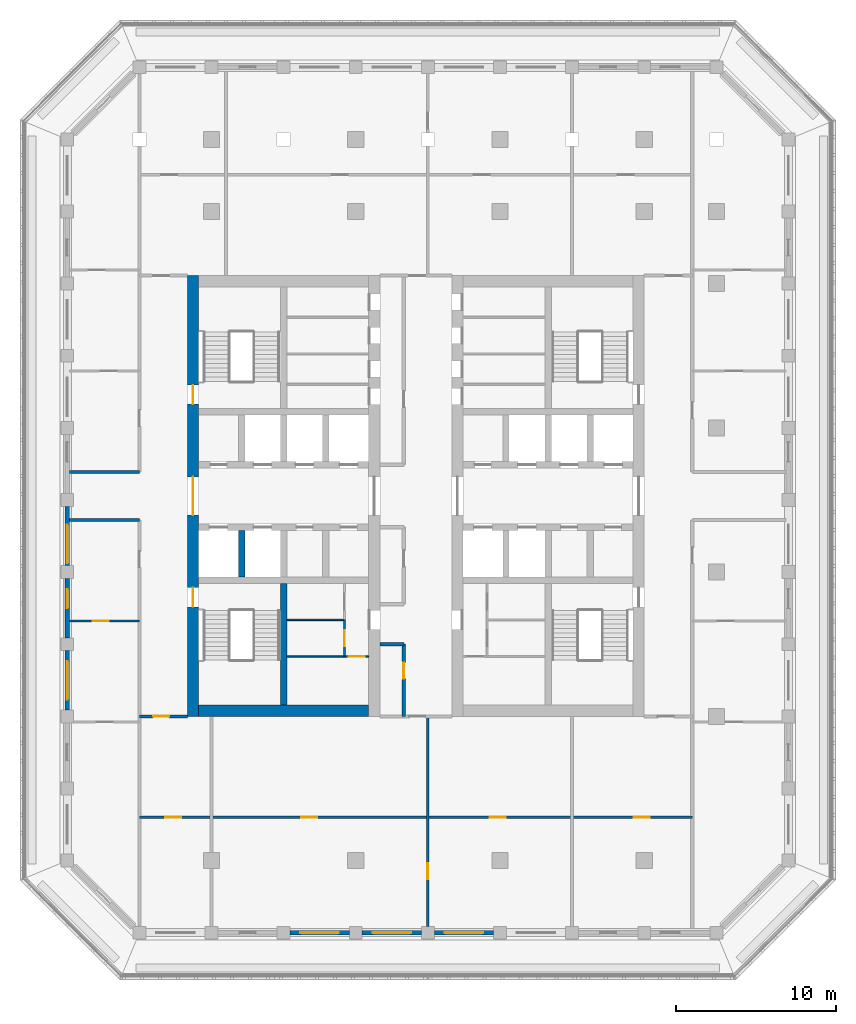
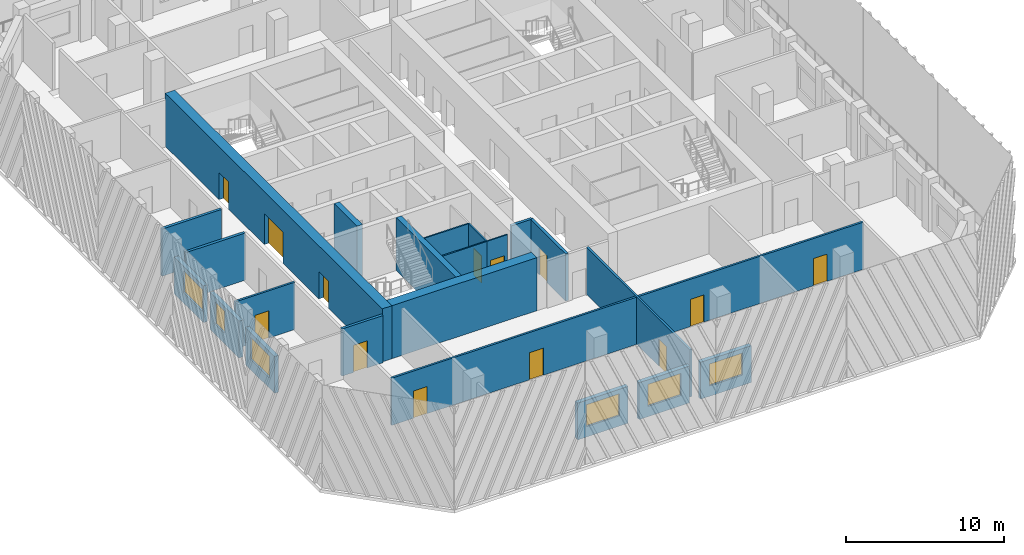
# One storey, part 3 of 17: 22 walls, 13 doors, 6 windows, 19 openings.
"""IFC4 building model written with IfcOpenShell, lengths in metres."""

import ifcopenshell
import ifcopenshell.guid

model = None  # the IFC model being written
_history = None  # IfcOwnerHistory: only IFC2X3 demands one
_inside = {}  # id of a spatial element -> (the spatial element, [elements in it])
_under = {}  # id of a project, library or spatial element -> (it, [spatial elements below it])
_declared = {}  # id of a project -> (the project, [libraries it declares])
_typed = {}  # id of a type object -> (the type object, [elements of that type])
_made_of = {}  # id of a material, layer set ... -> (it, [elements and type objects made of it])


def new_model(schema):
    """Start an empty IFC model of exactly this schema.

    Asked for "IFC4X3", IfcOpenShell would pick the latest addendum, in which some entities
    have other attributes; the version numbers below select the first issue.
    IFC2X3 requires an IfcOwnerHistory on every rooted entity: one is made here for all.
    """
    global model, _history
    if schema == "IFC4X3":
        model = ifcopenshell.file(schema_version=(4, 3, 0, 0))
    else:
        model = ifcopenshell.file(schema=schema)
    _inside.clear()
    _under.clear()
    _declared.clear()
    _typed.clear()
    _made_of.clear()
    _history = None
    if model.schema == "IFC2X3":
        org = make("IfcOrganization", Name="unknown")
        user = make(
            "IfcPersonAndOrganization",
            ThePerson=make("IfcPerson", FamilyName="unknown"),
            TheOrganization=org,
        )
        app = make(
            "IfcApplication",
            ApplicationDeveloper=org,
            Version="unknown",
            ApplicationFullName="unknown",
            ApplicationIdentifier="unknown",
        )
        _history = make(
            "IfcOwnerHistory",
            OwningUser=user,
            OwningApplication=app,
            ChangeAction="ADDED",
            CreationDate=0,
        )
    return model


def make(cls, **values):
    """One entity of the class cls with the attributes given. An attribute that is None is left unset."""
    return model.create_entity(
        cls, **{name: value for name, value in values.items() if value is not None}
    )


def rooted(cls, **values):
    """An entity with a GlobalId (a new one), such as an element, a storey or a relation."""
    return make(cls, GlobalId=ifcopenshell.guid.new(), OwnerHistory=_history, **values)


def si_unit(unit_type, name, prefix=None):
    """IfcSIUnit, for example si_unit("LENGTHUNIT", "METRE", prefix="MILLI")."""
    return make("IfcSIUnit", UnitType=unit_type, Prefix=prefix, Name=name)


def assignment(units):
    """IfcUnitAssignment: the units of a project."""
    return None if units is None else make("IfcUnitAssignment", Units=units)


def point(xyz):
    """IfcCartesianPoint."""
    return None if xyz is None else make("IfcCartesianPoint", Coordinates=xyz)


def direction(xyz):
    """IfcDirection."""
    return None if xyz is None else make("IfcDirection", DirectionRatios=xyz)


def frame(location, z_axis=None, x_axis=None):
    """IfcAxis2Placement3D, a coordinate frame: its origin and axes. An axis left out is left unset."""
    return make(
        "IfcAxis2Placement3D",
        Location=point(location),
        Axis=direction(z_axis),
        RefDirection=direction(x_axis),
    )


def frame_2d(location, x_axis=None):
    """IfcAxis2Placement2D, a coordinate frame in the plane: its origin and x axis."""
    return make(
        "IfcAxis2Placement2D", Location=point(location), RefDirection=direction(x_axis)
    )


def origin():
    """The frame at (0, 0, 0) with its axes left unset."""
    return frame((0.0, 0.0, 0.0))


def place(relative_to, where):
    """IfcLocalPlacement: puts the frame where relative to a parent placement (None: the world)."""
    return make(
        "IfcLocalPlacement", PlacementRelTo=relative_to, RelativePlacement=where
    )


def context(
    kind, dimensions, precision=None, world=None, true_north=None, identifier=None
):
    """IfcGeometricRepresentationContext, for example the 3D "Model" context."""
    return make(
        "IfcGeometricRepresentationContext",
        ContextIdentifier=identifier,
        ContextType=kind,
        CoordinateSpaceDimension=dimensions,
        Precision=precision,
        WorldCoordinateSystem=world,
        TrueNorth=true_north,
    )


def subcontext(parent, identifier, kind, view, scale=None):
    """IfcGeometricRepresentationSubContext, for example "Body" below "Model"."""
    return make(
        "IfcGeometricRepresentationSubContext",
        ContextIdentifier=identifier,
        ContextType=kind,
        ParentContext=parent,
        TargetScale=scale,
        TargetView=view,
    )


def project(units=None, contexts=None):
    """IfcProject with its units and contexts."""
    return rooted(
        "IfcProject",
        Name="project",
        RepresentationContexts=contexts,
        UnitsInContext=assignment(units),
    )


def spatial(cls, under=None, at=None, **own):
    """A site, building, storey or space (cls), placed at a placement, below another one or the project."""
    s = rooted(cls, ObjectPlacement=at, **own)
    if under is not None:
        _under.setdefault(under.id(), (under, []))[1].append(s)
    return s


def profile(cls, at=None, kind="AREA", **sizes):
    """A parametric profile (cls). Its sizes go by their IFC names, for example OverallWidth=200.0."""
    return make(cls, ProfileType=kind, Position=at, **sizes)


def rectangle(**sizes):
    """IfcRectangleProfileDef."""
    return profile("IfcRectangleProfileDef", **sizes)


def extrude(swept, where, along, depth):
    """IfcExtrudedAreaSolid: the profile swept, set in the frame where, extruded along a direction by depth."""
    return make(
        "IfcExtrudedAreaSolid",
        SweptArea=swept,
        Position=where,
        ExtrudedDirection=direction(along),
        Depth=depth,
    )


def shape(context_of_items, identifier, shape_type, items):
    """IfcShapeRepresentation: the items that make up one representation, for example the "Body"."""
    return make(
        "IfcShapeRepresentation",
        ContextOfItems=context_of_items,
        RepresentationIdentifier=identifier,
        RepresentationType=shape_type,
        Items=items,
    )


def material(Name=None, Category=None):
    """IfcMaterial."""
    return make("IfcMaterial", Name=Name, Category=Category)


def layer(
    of_material, thickness, ventilated=None, Name=None, Category=None, Priority=None
):
    """IfcMaterialLayer: one layer of a wall or slab, of a material (None: an air gap)."""
    return make(
        "IfcMaterialLayer",
        Material=of_material,
        LayerThickness=thickness,
        IsVentilated=ventilated,
        Name=Name,
        Category=Category,
        Priority=Priority,
    )


def layer_set(layers, Name=None):
    """IfcMaterialLayerSet."""
    return make("IfcMaterialLayerSet", MaterialLayers=layers, LayerSetName=Name)


def made_of(thing, what):
    """Note that an element or type object is made of a material, layer set ...; save() writes the relation."""
    if what is not None:
        _made_of.setdefault(what.id(), (what, []))[1].append(thing)
    return thing


def type_object(cls, material=None, **own):
    """A type object (cls), such as IfcWallType, which elements share."""
    return made_of(rooted(cls, **own), material)


def element(
    cls,
    number,
    at=None,
    inside=None,
    cuts=None,
    type_object=None,
    material=None,
    context=None,
    identifier="Body",
    shape_type=None,
    held_by="IfcProductDefinitionShape",
    body=None,
    shapes=None,
    **own,
):
    """One element of the class cls, such as IfcWall. Its Tag is "e" and its number.

    at: its placement. inside: the storey or other place that contains it. cuts: it is an
    opening in that element (IfcRelVoidsElement). A single representation is given by context,
    identifier, shape_type and body (its items); several are given by shapes. held_by: the class
    of the entity that holds the representations. save() writes the other relations.
    """
    e = rooted(cls, Tag="e%d" % number, ObjectPlacement=at, **own)
    if body is not None:
        shapes = [shape(context, identifier, shape_type, body)]
    if shapes is not None:
        e.Representation = make(held_by, Representations=shapes)
    if inside is not None:
        _inside.setdefault(inside.id(), (inside, []))[1].append(e)
    if cuts is not None:
        rooted(
            "IfcRelVoidsElement", RelatingBuildingElement=cuts, RelatedOpeningElement=e
        )
    if type_object is not None:
        _typed.setdefault(type_object.id(), (type_object, []))[1].append(e)
    return made_of(e, material)


def fill(opening, filler):
    """IfcRelFillsElement: the door or window that sits in an opening."""
    return rooted(
        "IfcRelFillsElement",
        RelatingOpeningElement=opening,
        RelatedBuildingElement=filler,
    )


def aggregate(whole, parts):
    """IfcRelAggregates: a whole, such as a stair, and the parts it consists of."""
    return rooted("IfcRelAggregates", RelatingObject=whole, RelatedObjects=parts)


def save(model, path):
    """Write the relations noted so far, then the file.

    IfcRelAggregates (storeys below a building ...), IfcRelContainedInSpatialStructure (elements
    in a storey), IfcRelDefinesByType, IfcRelAssociatesMaterial and IfcRelDeclares: one each for
    every whole, place, type object, material and project.
    """
    for whole, parts in _under.values():
        aggregate(whole, parts)
    for where, things in _inside.values():
        rooted(
            "IfcRelContainedInSpatialStructure",
            RelatedElements=things,
            RelatingStructure=where,
        )
    for kind, things in _typed.values():
        rooted("IfcRelDefinesByType", RelatedObjects=things, RelatingType=kind)
    for what, things in _made_of.values():
        rooted("IfcRelAssociatesMaterial", RelatedObjects=things, RelatingMaterial=what)
    for by, libraries in _declared.values():
        rooted("IfcRelDeclares", RelatingContext=by, RelatedDefinitions=libraries)
    model.write(path)


model = new_model("IFC4")

# Units and contexts
model_context = context("Model", 3, precision=1e-05, world=origin(), true_north=direction((0.0, 1.0)))
body_context = subcontext(model_context, "Body", "Model", "MODEL_VIEW")
ifc_project = project(units=[si_unit("LENGTHUNIT", "METRE"), si_unit("AREAUNIT", "SQUARE_METRE"), si_unit("VOLUMEUNIT", "CUBIC_METRE"), si_unit("PLANEANGLEUNIT", "RADIAN"), si_unit("MASSUNIT", "GRAM", prefix="KILO")], contexts=[model_context])

# Site, building, storey
site_placement = place(None, origin())
site = spatial("IfcSite", under=ifc_project, at=site_placement, CompositionType="ELEMENT")
building_placement = place(site_placement, origin())
building = spatial("IfcBuilding", under=site, at=building_placement, Name="Corbel Stack Research Tower", CompositionType="ELEMENT")
storey_placement = place(building_placement, frame((0.0, 0.0, 231.60009765625)))
storey = spatial("IfcBuildingStorey", under=building, at=storey_placement, Name="L52", CompositionType="ELEMENT", Elevation=231.60009765625)

# Walls
ifc_material_1 = material(Name="Concrete C60/75", Category="concrete")
ifc_layer_1 = layer(ifc_material_1, 0.39990234375)
ifc_layer_set_1 = layer_set([ifc_layer_1], Name="Concrete C60/75")
wall_type_1 = type_object("IfcWallType", Name="CW-400-60", PredefinedType="SHEAR", material=ifc_layer_set_1)
wall_1_placement = place(storey_placement, frame((-7.125, -0.300048828125, 0.0), z_axis=(0.0, 0.0, 1.0), x_axis=(0.0, 1.0, 0.0)))
element("IfcWall", 1, at=wall_1_placement, inside=storey, type_object=wall_type_1, Name="West core wall, south shaft 1 L52", PredefinedType="SHEAR", context=body_context, shape_type="SweptSolid", body=[
    extrude(rectangle(XDim=2.900146484375, YDim=0.39990234375, at=frame_2d((1.4501953125, 0.0))), origin(), (0.0, 0.0, 1.0), 4.099853515625),
])
wall_2_placement = place(storey_placement, frame((-4.5, -8.300048828125, 0.0), z_axis=(0.0, 0.0, 1.0), x_axis=(0.0, 1.0, 0.0)))
element("IfcWall", 2, at=wall_2_placement, inside=storey, type_object=wall_type_1, Name="West core wall, south stair and WC L52", PredefinedType="SHEAR", context=body_context, shape_type="SweptSolid", body=[
    extrude(rectangle(XDim=7.60009765625, YDim=0.39990234375, at=frame_2d((3.800048828125, 0.0))), origin(), (0.0, 0.0, 1.0), 4.099853515625),
])

# Wall, openings, doors
ifc_material_2 = material(Name="Concrete C60/75", Category="concrete")
ifc_layer_2 = layer(ifc_material_2, 0.699951171875)
ifc_layer_set_2 = layer_set([ifc_layer_2], Name="Concrete C60/75")
wall_type_2 = type_object("IfcWallType", Name="CW-700-60", PredefinedType="SHEAR", material=ifc_layer_set_2)
wall_3_placement = place(storey_placement, frame((-10.14990234375, -9.0, 0.0), z_axis=(0.0, 0.0, 1.0), x_axis=(0.0, 1.0, 0.0)))
wall_3 = element("IfcWall", 3, at=wall_3_placement, inside=storey, type_object=wall_type_2, Name="West core wall, west face L52", PredefinedType="SHEAR", context=body_context, shape_type="SweptSolid", body=[
    extrude(rectangle(XDim=27.5, YDim=0.699951171875, at=frame_2d((13.75, 0.0))), origin(), (0.0, 0.0, 1.0), 4.099853515625),
])
opening_1_placement = place(wall_3_placement, frame((12.550048828125, 0.0, 0.0)))
opening_1 = element("IfcOpeningElement", 4, at=opening_1_placement, cuts=wall_3, Name="Opening CD-W-W", PredefinedType="OPENING", context=body_context, shape_type="SweptSolid", body=[
    extrude(rectangle(XDim=2.39990234375, YDim=2.39990234375, at=frame_2d((1.199951171875, 1.199951171875))), frame((0.0, 0.35986328125, 0.0), z_axis=(0.0, -1.0, 0.0), x_axis=(1.0, 0.0, 0.0)), (0.0, 0.0, 1.0), 0.719970703125),
])
opening_2_placement = place(wall_3_placement, frame((6.824951171875, 0.0, 0.0)))
opening_2 = element("IfcOpeningElement", 5, at=opening_2_placement, cuts=wall_3, Name="Opening SD-ST-W1", PredefinedType="OPENING", context=body_context, shape_type="SweptSolid", body=[
    extrude(rectangle(XDim=1.199951171875, YDim=2.10009765625, at=frame_2d((0.60009765625, 1.050048828125))), frame((0.0, 0.35986328125, 0.0), z_axis=(0.0, -1.0, 0.0), x_axis=(1.0, 0.0, 0.0)), (0.0, 0.0, 1.0), 0.719970703125),
])
opening_3_placement = place(wall_3_placement, frame((19.47509765625, 0.0, 0.0)))
opening_3 = element("IfcOpeningElement", 6, at=opening_3_placement, cuts=wall_3, Name="Opening SD-ST-W2", PredefinedType="OPENING", context=body_context, shape_type="SweptSolid", body=[
    extrude(rectangle(XDim=1.199951171875, YDim=2.10009765625, at=frame_2d((0.60009765625, 1.050048828125))), frame((0.0, 0.35986328125, 0.0), z_axis=(0.0, -1.0, 0.0), x_axis=(1.0, 0.0, 0.0)), (0.0, 0.0, 1.0), 0.719970703125),
])
ifc_material_3 = material(Name="Painted steel fire door", Category="steel")
door_type_1 = type_object("IfcDoorType", Name="Lobby door pair 2400 x 2400 FD30S", OperationType="DOUBLE_DOOR_DOUBLE_SWING", PredefinedType="DOOR", material=ifc_material_3)
door_1_placement = place(opening_1_placement, origin())
door_1 = element("IfcDoor", 7, at=door_1_placement, inside=storey, type_object=door_type_1, Name="Lift lobby door W core W", OperationType="DOUBLE_DOOR_DOUBLE_SWING", OverallHeight=2.39990234375, OverallWidth=2.39990234375, PredefinedType="DOOR", context=body_context, shape_type="SweptSolid", body=[
    extrude(rectangle(XDim=2.39990234375, YDim=2.39990234375, at=frame_2d((1.199951171875, 1.199951171875))), frame((0.0, 0.02490234375, 0.0), z_axis=(0.0, -1.0, 0.0), x_axis=(1.0, 0.0, 0.0)), (0.0, 0.0, 1.0), 0.050048828125),
])
fill(opening_1, door_1)
ifc_material_4 = material(Name="Painted steel fire door", Category="steel")
door_type_2 = type_object("IfcDoorType", Name="Stair door 1200 x 2100 FD90 left hand", OperationType="SINGLE_SWING_LEFT", PredefinedType="DOOR", material=ifc_material_4)
door_2_placement = place(opening_2_placement, origin())
door_2 = element("IfcDoor", 8, at=door_2_placement, inside=storey, type_object=door_type_2, Name="Stair door ST-W1", OperationType="SINGLE_SWING_LEFT", OverallHeight=2.10009765625, OverallWidth=1.199951171875, PredefinedType="DOOR", context=body_context, shape_type="SweptSolid", body=[
    extrude(rectangle(XDim=1.199951171875, YDim=2.10009765625, at=frame_2d((0.60009765625, 1.050048828125))), frame((0.0, 0.02490234375, 0.0), z_axis=(0.0, -1.0, 0.0), x_axis=(1.0, 0.0, 0.0)), (0.0, 0.0, 1.0), 0.050048828125),
])
fill(opening_2, door_2)
door_3_placement = place(opening_3_placement, origin())
door_3 = element("IfcDoor", 9, at=door_3_placement, inside=storey, type_object=door_type_2, Name="Stair door ST-W2", OperationType="SINGLE_SWING_LEFT", OverallHeight=2.10009765625, OverallWidth=1.199951171875, PredefinedType="DOOR", context=body_context, shape_type="SweptSolid", body=[
    extrude(rectangle(XDim=1.199951171875, YDim=2.10009765625, at=frame_2d((0.60009765625, 1.050048828125))), frame((0.0, 0.02490234375, 0.0), z_axis=(0.0, -1.0, 0.0), x_axis=(1.0, 0.0, 0.0)), (0.0, 0.0, 1.0), 0.050048828125),
])
fill(opening_3, door_3)

# Wall
wall_4_placement = place(storey_placement, frame((-9.800048828125, -8.64990234375, 0.0), z_axis=(0.0, 0.0, 1.0), x_axis=(1.0, 0.0, 0.0)))
element("IfcWall", 10, at=wall_4_placement, inside=storey, type_object=wall_type_2, Name="West core wall, south end L52", PredefinedType="SHEAR", context=body_context, shape_type="SweptSolid", body=[
    extrude(rectangle(XDim=10.60009765625, YDim=0.699951171875, at=frame_2d((5.300048828125, 0.0))), origin(), (0.0, 0.0, 1.0), 4.099853515625),
])

# Wall, opening, door
ifc_material_5 = material(Name="Gypsum board")
ifc_layer_3 = layer(ifc_material_5, 0.10009765625)
ifc_layer_set_3 = layer_set([ifc_layer_3], Name="Gypsum board")
wall_type_3 = type_object("IfcWallType", Name="Core partition 100", PredefinedType="PARTITIONING", material=ifc_layer_set_3)
wall_5_placement = place(storey_placement, frame((-0.699951171875, -5.260009765625, 0.0), z_axis=(0.0, 0.0, 1.0), x_axis=(1.0, 0.0, 0.0)))
wall_5 = element("IfcWall", 11, at=wall_5_placement, inside=storey, type_object=wall_type_3, Name="Core partition W", PredefinedType="PARTITIONING", context=body_context, shape_type="SweptSolid", body=[
    extrude(rectangle(XDim=1.5, YDim=0.10009765625, at=frame_2d((0.75, 0.0))), origin(), (0.0, 0.0, 1.0), 3.64990234375),
])
opening_4_placement = place(wall_5_placement, frame((0.25, 0.0, 0.0)))
opening_4 = element("IfcOpeningElement", 12, at=opening_4_placement, cuts=wall_5, Name="Opening CR-W66-W2-1000", PredefinedType="OPENING", context=body_context, shape_type="SweptSolid", body=[
    extrude(rectangle(XDim=1.0, YDim=2.10009765625, at=frame_2d((0.5, 1.050048828125))), frame((0.0, 0.06005859375, 0.0), z_axis=(0.0, -1.0, 0.0), x_axis=(1.0, 0.0, 0.0)), (0.0, 0.0, 1.0), 0.1201171875),
])
ifc_material_6 = material(Name="Painted timber door", Category="wood")
door_type_3 = type_object("IfcDoorType", Name="WC door 1000 x 2100 right hand", OperationType="SINGLE_SWING_RIGHT", PredefinedType="DOOR", material=ifc_material_6)
door_4_placement = place(opening_4_placement, origin())
door_4 = element("IfcDoor", 13, at=door_4_placement, inside=storey, type_object=door_type_3, Name="Accessible WC door W core", OperationType="SINGLE_SWING_RIGHT", OverallHeight=2.10009765625, OverallWidth=1.0, PredefinedType="DOOR", context=body_context, shape_type="SweptSolid", body=[
    extrude(rectangle(XDim=1.0, YDim=2.10009765625, at=frame_2d((0.5, 1.050048828125))), frame((0.0, 0.02490234375, 0.0), z_axis=(0.0, -1.0, 0.0), x_axis=(1.0, 0.0, 0.0)), (0.0, 0.0, 1.0), 0.050048828125),
])
fill(opening_4, door_4)

wall_6_placement = place(storey_placement, frame((-0.699951171875, -5.260009765625, 0.0), z_axis=(0.0, 0.0, 1.0), x_axis=(0.0, 1.0, 0.0)))
wall_6 = element("IfcWall", 14, at=wall_6_placement, inside=storey, type_object=wall_type_3, Name="Core partition W", PredefinedType="PARTITIONING", context=body_context, shape_type="SweptSolid", body=[
    extrude(rectangle(XDim=2.280029296875, YDim=0.10009765625, at=frame_2d((1.14013671875, 0.0))), origin(), (0.0, 0.0, 1.0), 3.64990234375),
])
opening_5_placement = place(wall_6_placement, frame((0.639892578125, 0.0, 0.0)))
opening_5 = element("IfcOpeningElement", 15, at=opening_5_placement, cuts=wall_6, Name="Opening CR-W66-W3-1000", PredefinedType="OPENING", context=body_context, shape_type="SweptSolid", body=[
    extrude(rectangle(XDim=1.0, YDim=2.10009765625, at=frame_2d((0.5, 1.050048828125))), frame((0.0, 0.06005859375, 0.0), z_axis=(0.0, -1.0, 0.0), x_axis=(1.0, 0.0, 0.0)), (0.0, 0.0, 1.0), 0.1201171875),
])
ifc_material_7 = material(Name="Painted timber door", Category="wood")
door_type_4 = type_object("IfcDoorType", Name="WC door 1000 x 2100 left hand", OperationType="SINGLE_SWING_LEFT", PredefinedType="DOOR", material=ifc_material_7)
door_5_placement = place(opening_5_placement, origin())
door_5 = element("IfcDoor", 16, at=door_5_placement, inside=storey, type_object=door_type_4, Name="Men's WC door W core", OperationType="SINGLE_SWING_LEFT", OverallHeight=2.10009765625, OverallWidth=1.0, PredefinedType="DOOR", context=body_context, shape_type="SweptSolid", body=[
    extrude(rectangle(XDim=1.0, YDim=2.10009765625, at=frame_2d((0.5, 1.050048828125))), frame((0.0, 0.02490234375, 0.0), z_axis=(0.0, -1.0, 0.0), x_axis=(1.0, 0.0, 0.0)), (0.0, 0.0, 1.0), 0.050048828125),
])
fill(opening_5, door_5)

# Walls
for number, where, z_axis, x_axis, name in (
    (17, (-4.300048828125, -5.260009765625, 0.0), (0.0, 0.0, 1.0), (1.0, 0.0, 0.0), "Core partition W"),
    (18, (-4.300048828125, -2.97998046875, 0.0), (0.0, 0.0, 1.0), (1.0, 0.0, 0.0), "Core partition W"),
):
    element("IfcWall", number, at=place(storey_placement, frame(where, z_axis=z_axis, x_axis=x_axis)), inside=storey, type_object=wall_type_3, Name=name, PredefinedType="PARTITIONING", context=body_context, shape_type="SweptSolid", body=[
        extrude(rectangle(XDim=3.60009765625, YDim=0.10009765625, at=frame_2d((1.800048828125, 0.0))), origin(), (0.0, 0.0, 1.0), 3.64990234375),
    ])

# Wall, opening, door
ifc_material_8 = material(Name="Fire-rated gypsum board partition on steel studs", Category="steel")
ifc_layer_4 = layer(ifc_material_8, 0.14990234375)
ifc_layer_set_4 = layer_set([ifc_layer_4], Name="Fire-rated gypsum board partition on steel studs")
wall_type_4 = type_object("IfcWallType", Name="Fire-rated partition 150 EI 60", PredefinedType="PARTITIONING", material=ifc_layer_set_4)
wall_7_placement = place(storey_placement, frame((4.5, -9.0, 0.0), z_axis=(0.0, 0.0, 1.0), x_axis=(0.0, -1.0, 0.0)))
wall_7 = element("IfcWall", 19, at=wall_7_placement, inside=storey, type_object=wall_type_4, Name="Partition L52-010", PredefinedType="PARTITIONING", context=body_context, shape_type="SweptSolid", body=[
    extrude(rectangle(XDim=13.10009765625, YDim=0.14990234375, at=frame_2d((6.550048828125, 0.0))), origin(), (0.0, 0.0, 1.0), 3.64990234375),
])
opening_6_placement = place(wall_7_placement, frame((9.14990234375, 0.0, 0.0)))
opening_6 = element("IfcOpeningElement", 20, at=opening_6_placement, cuts=wall_7, Name="Opening B7V0H-017", PredefinedType="OPENING", context=body_context, shape_type="SweptSolid", body=[
    extrude(rectangle(XDim=1.0, YDim=2.10009765625, at=frame_2d((0.5, 1.050048828125))), frame((0.0, 0.0849609375, 0.0), z_axis=(0.0, -1.0, 0.0), x_axis=(1.0, 0.0, 0.0)), (0.0, 0.0, 1.0), 0.169921875),
])
ifc_material_9 = material(Name="Painted steel fire door", Category="steel")
door_type_5 = type_object("IfcDoorType", Name="Fire door FD30S 1000 x 2100", OperationType="NOTDEFINED", PredefinedType="DOOR", material=ifc_material_9)
door_6_placement = place(opening_6_placement, origin())
door_6 = element("IfcDoor", 21, at=door_6_placement, inside=storey, type_object=door_type_5, Name="Door B7V0H-017", OperationType="SINGLE_SWING_RIGHT", OverallHeight=2.10009765625, OverallWidth=1.0, PredefinedType="DOOR", context=body_context, shape_type="SweptSolid", body=[
    extrude(rectangle(XDim=1.0, YDim=2.10009765625, at=frame_2d((0.5, 1.050048828125))), frame((0.0, 0.02490234375, 0.0), z_axis=(0.0, -1.0, 0.0), x_axis=(1.0, 0.0, 0.0)), (0.0, 0.0, 1.0), 0.050048828125),
])
fill(opening_6, door_6)

ifc_material_10 = material(Name="Fire-rated gypsum board partition on steel studs", Category="steel")
ifc_layer_5 = layer(ifc_material_10, 0.199951171875)
ifc_layer_set_5 = layer_set([ifc_layer_5], Name="Fire-rated gypsum board partition on steel studs")
wall_type_5 = type_object("IfcWallType", Name="Fire-rated partition 200 EI 60", PredefinedType="PARTITIONING", material=ifc_layer_set_5)
wall_8_placement = place(storey_placement, frame((3.0, -9.0, 0.0), z_axis=(0.0, 0.0, 1.0), x_axis=(0.0, 1.0, 0.0)))
wall_8 = element("IfcWall", 22, at=wall_8_placement, inside=storey, type_object=wall_type_5, Name="Partition L52-007", PredefinedType="PARTITIONING", context=body_context, shape_type="SweptSolid", body=[
    extrude(rectangle(XDim=4.5, YDim=0.199951171875, at=frame_2d((2.25, 0.0))), origin(), (0.0, 0.0, 1.0), 3.64990234375),
])
opening_7_placement = place(wall_8_placement, frame((2.35009765625, 0.0, 0.0)))
opening_7 = element("IfcOpeningElement", 23, at=opening_7_placement, cuts=wall_8, Name="Opening B7V0H-014", PredefinedType="OPENING", context=body_context, shape_type="SweptSolid", body=[
    extrude(rectangle(XDim=1.0, YDim=2.10009765625, at=frame_2d((0.5, 1.050048828125))), frame((0.0, 0.10986328125, 0.0), z_axis=(0.0, -1.0, 0.0), x_axis=(1.0, 0.0, 0.0)), (0.0, 0.0, 1.0), 0.219970703125),
])
door_7_placement = place(opening_7_placement, origin())
door_7 = element("IfcDoor", 24, at=door_7_placement, inside=storey, type_object=door_type_5, Name="Door B7V0H-014", OperationType="SINGLE_SWING_RIGHT", OverallHeight=2.10009765625, OverallWidth=1.0, PredefinedType="DOOR", context=body_context, shape_type="SweptSolid", body=[
    extrude(rectangle(XDim=1.0, YDim=2.10009765625, at=frame_2d((0.5, 1.050048828125))), frame((0.0, 0.02490234375, 0.0), z_axis=(0.0, -1.0, 0.0), x_axis=(1.0, 0.0, 0.0)), (0.0, 0.0, 1.0), 0.050048828125),
])
fill(opening_7, door_7)

wall_9_placement = place(storey_placement, frame((-10.5, -9.0, 0.0), z_axis=(0.0, 0.0, 1.0), x_axis=(-1.0, 0.0, 0.0)))
wall_9 = element("IfcWall", 25, at=wall_9_placement, inside=storey, type_object=wall_type_5, Name="Partition L52-022", PredefinedType="PARTITIONING", context=body_context, shape_type="SweptSolid", body=[
    extrude(rectangle(XDim=3.0, YDim=0.199951171875, at=frame_2d((1.5, 0.0))), origin(), (0.0, 0.0, 1.0), 3.64990234375),
])
opening_8_placement = place(wall_9_placement, frame((1.14990234375, 0.0, 0.0)))
opening_8 = element("IfcOpeningElement", 26, at=opening_8_placement, cuts=wall_9, Name="Opening B7V0H-009", PredefinedType="OPENING", context=body_context, shape_type="SweptSolid", body=[
    extrude(rectangle(XDim=1.0, YDim=2.10009765625, at=frame_2d((0.5, 1.050048828125))), frame((0.0, 0.10986328125, 0.0), z_axis=(0.0, -1.0, 0.0), x_axis=(1.0, 0.0, 0.0)), (0.0, 0.0, 1.0), 0.219970703125),
])
door_8_placement = place(opening_8_placement, origin())
door_8 = element("IfcDoor", 27, at=door_8_placement, inside=storey, type_object=door_type_5, Name="Door B7V0H-009", OperationType="SINGLE_SWING_RIGHT", OverallHeight=2.10009765625, OverallWidth=1.0, PredefinedType="DOOR", context=body_context, shape_type="SweptSolid", body=[
    extrude(rectangle(XDim=1.0, YDim=2.10009765625, at=frame_2d((0.5, 1.050048828125))), frame((0.0, 0.02490234375, 0.0), z_axis=(0.0, -1.0, 0.0), x_axis=(1.0, 0.0, 0.0)), (0.0, 0.0, 1.0), 0.050048828125),
])
fill(opening_8, door_8)

# Walls
wall_10_placement = place(storey_placement, frame((1.5, -4.5, 0.0), z_axis=(0.0, 0.0, 1.0), x_axis=(1.0, 0.0, 0.0)))
element("IfcWall", 28, at=wall_10_placement, inside=storey, type_object=wall_type_5, Name="Partition L52-025", PredefinedType="PARTITIONING", context=body_context, shape_type="SweptSolid", body=[
    extrude(rectangle(XDim=1.5, YDim=0.199951171875, at=frame_2d((0.75, 0.0))), origin(), (0.0, 0.0, 1.0), 3.64990234375),
])
for number, where, z_axis, x_axis, name in (
    (29, (-17.85009765625, 3.25, 0.0), (0.0, 0.0, 1.0), (1.0, 0.0, 0.0), "Partition L52-030"),
    (30, (-17.85009765625, 6.25, 0.0), (0.0, 0.0, 1.0), (1.0, 0.0, 0.0), "Partition L52-032"),
):
    element("IfcWall", number, at=place(storey_placement, frame(where, z_axis=z_axis, x_axis=x_axis)), inside=storey, type_object=wall_type_5, Name=name, PredefinedType="PARTITIONING", context=body_context, shape_type="SweptSolid", body=[
        extrude(rectangle(XDim=4.35009765625, YDim=0.199951171875, at=frame_2d((2.175048828125, 0.0))), origin(), (0.0, 0.0, 1.0), 3.64990234375),
    ])

# Wall, openings, doors
ifc_material_11 = material(Name="Gypsum board partition on steel studs", Category="steel")
ifc_layer_6 = layer(ifc_material_11, 0.14990234375)
ifc_layer_set_6 = layer_set([ifc_layer_6], Name="Gypsum board partition on steel studs")
wall_type_6 = type_object("IfcWallType", Name="Partition 150", PredefinedType="PARTITIONING", material=ifc_layer_set_6)
wall_11_placement = place(storey_placement, frame((21.0, -15.300048828125, 0.0), z_axis=(0.0, 0.0, 1.0), x_axis=(-1.0, 0.0, 0.0)))
wall_11 = element("IfcWall", 31, at=wall_11_placement, inside=storey, type_object=wall_type_6, Name="Partition L52-018", PredefinedType="PARTITIONING", context=body_context, shape_type="SweptSolid", body=[
    extrude(rectangle(XDim=34.5, YDim=0.14990234375, at=frame_2d((17.25, 0.0))), origin(), (0.0, 0.0, 1.0), 3.64990234375),
])
opening_9_placement = place(wall_11_placement, frame((31.89990234375, 0.0, 0.0)))
opening_9 = element("IfcOpeningElement", 32, at=opening_9_placement, cuts=wall_11, Name="Opening B7V0H-001", PredefinedType="OPENING", context=body_context, shape_type="SweptSolid", body=[
    extrude(rectangle(XDim=1.0, YDim=2.10009765625, at=frame_2d((0.5, 1.050048828125))), frame((0.0, 0.0849609375, 0.0), z_axis=(0.0, -1.0, 0.0), x_axis=(1.0, 0.0, 0.0)), (0.0, 0.0, 1.0), 0.169921875),
])
opening_10_placement = place(wall_11_placement, frame((23.39990234375, 0.0, 0.0)))
opening_10 = element("IfcOpeningElement", 33, at=opening_10_placement, cuts=wall_11, Name="Opening B7V0H-002", PredefinedType="OPENING", context=body_context, shape_type="SweptSolid", body=[
    extrude(rectangle(XDim=1.0, YDim=2.10009765625, at=frame_2d((0.5, 1.050048828125))), frame((0.0, 0.0849609375, 0.0), z_axis=(0.0, -1.0, 0.0), x_axis=(1.0, 0.0, 0.0)), (0.0, 0.0, 1.0), 0.169921875),
])
opening_11_placement = place(wall_11_placement, frame((11.64990234375, 0.0, 0.0)))
opening_11 = element("IfcOpeningElement", 34, at=opening_11_placement, cuts=wall_11, Name="Opening B7V0H-003", PredefinedType="OPENING", context=body_context, shape_type="SweptSolid", body=[
    extrude(rectangle(XDim=1.0, YDim=2.10009765625, at=frame_2d((0.5, 1.050048828125))), frame((0.0, 0.0849609375, 0.0), z_axis=(0.0, -1.0, 0.0), x_axis=(1.0, 0.0, 0.0)), (0.0, 0.0, 1.0), 0.169921875),
])
opening_12_placement = place(wall_11_placement, frame((2.64990234375, 0.0, 0.0)))
opening_12 = element("IfcOpeningElement", 35, at=opening_12_placement, cuts=wall_11, Name="Opening B7V0H-004", PredefinedType="OPENING", context=body_context, shape_type="SweptSolid", body=[
    extrude(rectangle(XDim=1.0, YDim=2.10009765625, at=frame_2d((0.5, 1.050048828125))), frame((0.0, 0.0849609375, 0.0), z_axis=(0.0, -1.0, 0.0), x_axis=(1.0, 0.0, 0.0)), (0.0, 0.0, 1.0), 0.169921875),
])
ifc_material_12 = material(Name="Painted timber door", Category="wood")
door_type_6 = type_object("IfcDoorType", Name="Single door 1000 x 2100", OperationType="NOTDEFINED", PredefinedType="DOOR", material=ifc_material_12)
door_9_placement = place(opening_9_placement, origin())
door_9 = element("IfcDoor", 36, at=door_9_placement, inside=storey, type_object=door_type_6, Name="Door B7V0H-001", OperationType="SINGLE_SWING_RIGHT", OverallHeight=2.10009765625, OverallWidth=1.0, PredefinedType="DOOR", context=body_context, shape_type="SweptSolid", body=[
    extrude(rectangle(XDim=1.0, YDim=2.10009765625, at=frame_2d((0.5, 1.050048828125))), frame((0.0, 0.02490234375, 0.0), z_axis=(0.0, -1.0, 0.0), x_axis=(1.0, 0.0, 0.0)), (0.0, 0.0, 1.0), 0.050048828125),
])
fill(opening_9, door_9)
door_10_placement = place(opening_10_placement, origin())
door_10 = element("IfcDoor", 37, at=door_10_placement, inside=storey, type_object=door_type_6, Name="Door B7V0H-002", OperationType="SINGLE_SWING_RIGHT", OverallHeight=2.10009765625, OverallWidth=1.0, PredefinedType="DOOR", context=body_context, shape_type="SweptSolid", body=[
    extrude(rectangle(XDim=1.0, YDim=2.10009765625, at=frame_2d((0.5, 1.050048828125))), frame((0.0, 0.02490234375, 0.0), z_axis=(0.0, -1.0, 0.0), x_axis=(1.0, 0.0, 0.0)), (0.0, 0.0, 1.0), 0.050048828125),
])
fill(opening_10, door_10)
door_11_placement = place(opening_11_placement, origin())
door_11 = element("IfcDoor", 38, at=door_11_placement, inside=storey, type_object=door_type_6, Name="Door B7V0H-003", OperationType="SINGLE_SWING_LEFT", OverallHeight=2.10009765625, OverallWidth=1.0, PredefinedType="DOOR", context=body_context, shape_type="SweptSolid", body=[
    extrude(rectangle(XDim=1.0, YDim=2.10009765625, at=frame_2d((0.5, 1.050048828125))), frame((0.0, 0.02490234375, 0.0), z_axis=(0.0, -1.0, 0.0), x_axis=(1.0, 0.0, 0.0)), (0.0, 0.0, 1.0), 0.050048828125),
])
fill(opening_11, door_11)
door_12_placement = place(opening_12_placement, origin())
door_12 = element("IfcDoor", 39, at=door_12_placement, inside=storey, type_object=door_type_6, Name="Door B7V0H-004", OperationType="SINGLE_SWING_LEFT", OverallHeight=2.10009765625, OverallWidth=1.0, PredefinedType="DOOR", context=body_context, shape_type="SweptSolid", body=[
    extrude(rectangle(XDim=1.0, YDim=2.10009765625, at=frame_2d((0.5, 1.050048828125))), frame((0.0, 0.02490234375, 0.0), z_axis=(0.0, -1.0, 0.0), x_axis=(1.0, 0.0, 0.0)), (0.0, 0.0, 1.0), 0.050048828125),
])
fill(opening_12, door_12)

# Wall, opening, door
wall_12_placement = place(storey_placement, frame((-13.5, -3.050048828125, 0.0), z_axis=(0.0, 0.0, 1.0), x_axis=(-1.0, 0.0, 0.0)))
wall_12 = element("IfcWall", 40, at=wall_12_placement, inside=storey, type_object=wall_type_6, Name="Partition L52-026", PredefinedType="PARTITIONING", context=body_context, shape_type="SweptSolid", body=[
    extrude(rectangle(XDim=4.35009765625, YDim=0.14990234375, at=frame_2d((2.175048828125, 0.0))), origin(), (0.0, 0.0, 1.0), 3.64990234375),
])
opening_13_placement = place(wall_12_placement, frame((1.89990234375, 0.0, 0.0)))
opening_13 = element("IfcOpeningElement", 41, at=opening_13_placement, cuts=wall_12, Name="Opening B7V0H-012", PredefinedType="OPENING", context=body_context, shape_type="SweptSolid", body=[
    extrude(rectangle(XDim=1.0, YDim=2.10009765625, at=frame_2d((0.5, 1.050048828125))), frame((0.0, 0.0849609375, 0.0), z_axis=(0.0, -1.0, 0.0), x_axis=(1.0, 0.0, 0.0)), (0.0, 0.0, 1.0), 0.169921875),
])
door_13_placement = place(opening_13_placement, origin())
door_13 = element("IfcDoor", 42, at=door_13_placement, inside=storey, type_object=door_type_6, Name="Door B7V0H-012", OperationType="SINGLE_SWING_RIGHT", OverallHeight=2.10009765625, OverallWidth=1.0, PredefinedType="DOOR", context=body_context, shape_type="SweptSolid", body=[
    extrude(rectangle(XDim=1.0, YDim=2.10009765625, at=frame_2d((0.5, 1.050048828125))), frame((0.0, 0.02490234375, 0.0), z_axis=(0.0, -1.0, 0.0), x_axis=(1.0, 0.0, 0.0)), (0.0, 0.0, 1.0), 0.050048828125),
])
fill(opening_13, door_13)

# Wall, opening, window
ifc_material_13 = material(Name="Concrete C45/55", Category="concrete")
ifc_layer_7 = layer(ifc_material_13, 0.300048828125)
ifc_layer_set_7 = layer_set([ifc_layer_7], Name="Concrete C45/55")
wall_type_7 = type_object("IfcWallType", Name="Terracotta-faced concrete wall 300", PredefinedType="SOLIDWALL", material=ifc_layer_set_7)
wall_13_placement = place(storey_placement, frame((-0.39990234375, -22.5, 0.0), z_axis=(0.0, 0.0, 1.0), x_axis=(-1.0, 0.0, 0.0)))
wall_13 = element("IfcWall", 43, at=wall_13_placement, inside=storey, type_object=wall_type_7, Name="Facade wall L52 S03", PredefinedType="SOLIDWALL", context=body_context, shape_type="SweptSolid", body=[
    extrude(rectangle(XDim=3.7001953125, YDim=0.300048828125, at=frame_2d((1.85009765625, 0.0))), origin(), (0.0, 0.0, 1.0), 2.849853515625),
])
opening_14_placement = place(wall_13_placement, frame((0.64990234375, 0.0, 0.800048828125)))
opening_14 = element("IfcOpeningElement", 44, at=opening_14_placement, cuts=wall_13, Name="Opening W1", PredefinedType="OPENING", context=body_context, shape_type="SweptSolid", body=[
    extrude(rectangle(XDim=2.39990234375, YDim=1.699951171875, at=frame_2d((1.199951171875, 0.85009765625))), frame((0.0, 0.159912109375, 0.0), z_axis=(0.0, -1.0, 0.0), x_axis=(1.0, 0.0, 0.0)), (0.0, 0.0, 1.0), 0.320068359375),
])
ifc_material_14 = material(Name="Aluminium frame, clear double glazing", Category="aluminium")
window_type_1 = type_object("IfcWindowType", Name="Window W1 2400 x 1700", PartitioningType="SINGLE_PANEL", PredefinedType="WINDOW", material=ifc_material_14)
window_1_placement = place(opening_14_placement, origin())
window_1 = element("IfcWindow", 45, at=window_1_placement, inside=storey, type_object=window_type_1, Name="Window W1 L52 S03", OverallHeight=1.699951171875, OverallWidth=2.39990234375, PartitioningType="SINGLE_PANEL", PredefinedType="WINDOW", context=body_context, shape_type="SweptSolid", body=[
    extrude(rectangle(XDim=2.39990234375, YDim=1.699951171875, at=frame_2d((1.199951171875, 0.85009765625))), frame((0.0, 0.030029296875, 0.0), z_axis=(0.0, -1.0, 0.0), x_axis=(1.0, 0.0, 0.0)), (0.0, 0.0, 1.0), 0.06005859375),
])
fill(opening_14, window_1)

wall_14_placement = place(storey_placement, frame((4.10009765625, -22.5, 0.0), z_axis=(0.0, 0.0, 1.0), x_axis=(-1.0, 0.0, 0.0)))
wall_14 = element("IfcWall", 46, at=wall_14_placement, inside=storey, type_object=wall_type_7, Name="Facade wall L52 S04", PredefinedType="SOLIDWALL", context=body_context, shape_type="SweptSolid", body=[
    extrude(rectangle(XDim=3.7001953125, YDim=0.300048828125, at=frame_2d((1.85009765625, 0.0))), origin(), (0.0, 0.0, 1.0), 2.849853515625),
])
opening_15_placement = place(wall_14_placement, frame((0.64990234375, 0.0, 0.800048828125)))
opening_15 = element("IfcOpeningElement", 47, at=opening_15_placement, cuts=wall_14, Name="Opening W1", PredefinedType="OPENING", context=body_context, shape_type="SweptSolid", body=[
    extrude(rectangle(XDim=2.39990234375, YDim=1.699951171875, at=frame_2d((1.199951171875, 0.85009765625))), frame((0.0, 0.159912109375, 0.0), z_axis=(0.0, -1.0, 0.0), x_axis=(1.0, 0.0, 0.0)), (0.0, 0.0, 1.0), 0.320068359375),
])
window_2_placement = place(opening_15_placement, origin())
window_2 = element("IfcWindow", 48, at=window_2_placement, inside=storey, type_object=window_type_1, Name="Window W1 L52 S04", OverallHeight=1.699951171875, OverallWidth=2.39990234375, PartitioningType="SINGLE_PANEL", PredefinedType="WINDOW", context=body_context, shape_type="SweptSolid", body=[
    extrude(rectangle(XDim=2.39990234375, YDim=1.699951171875, at=frame_2d((1.199951171875, 0.85009765625))), frame((0.0, 0.030029296875, 0.0), z_axis=(0.0, -1.0, 0.0), x_axis=(1.0, 0.0, 0.0)), (0.0, 0.0, 1.0), 0.06005859375),
])
fill(opening_15, window_2)

wall_15_placement = place(storey_placement, frame((8.60009765625, -22.5, 0.0), z_axis=(0.0, 0.0, 1.0), x_axis=(-1.0, 0.0, 0.0)))
wall_15 = element("IfcWall", 49, at=wall_15_placement, inside=storey, type_object=wall_type_7, Name="Facade wall L52 S05", PredefinedType="SOLIDWALL", context=body_context, shape_type="SweptSolid", body=[
    extrude(rectangle(XDim=3.7001953125, YDim=0.300048828125, at=frame_2d((1.85009765625, 0.0))), origin(), (0.0, 0.0, 1.0), 2.849853515625),
])
opening_16_placement = place(wall_15_placement, frame((0.64990234375, 0.0, 0.800048828125)))
opening_16 = element("IfcOpeningElement", 50, at=opening_16_placement, cuts=wall_15, Name="Opening W1", PredefinedType="OPENING", context=body_context, shape_type="SweptSolid", body=[
    extrude(rectangle(XDim=2.39990234375, YDim=1.699951171875, at=frame_2d((1.199951171875, 0.85009765625))), frame((0.0, 0.159912109375, 0.0), z_axis=(0.0, -1.0, 0.0), x_axis=(1.0, 0.0, 0.0)), (0.0, 0.0, 1.0), 0.320068359375),
])
window_3_placement = place(opening_16_placement, origin())
window_3 = element("IfcWindow", 51, at=window_3_placement, inside=storey, type_object=window_type_1, Name="Window W1 L52 S05", OverallHeight=1.699951171875, OverallWidth=2.39990234375, PartitioningType="SINGLE_PANEL", PredefinedType="WINDOW", context=body_context, shape_type="SweptSolid", body=[
    extrude(rectangle(XDim=2.39990234375, YDim=1.699951171875, at=frame_2d((1.199951171875, 0.85009765625))), frame((0.0, 0.030029296875, 0.0), z_axis=(0.0, -1.0, 0.0), x_axis=(1.0, 0.0, 0.0)), (0.0, 0.0, 1.0), 0.06005859375),
])
fill(opening_16, window_3)

wall_16_placement = place(storey_placement, frame((-18.0, 0.39990234375, 0.0), z_axis=(0.0, 0.0, 1.0), x_axis=(0.0, 1.0, 0.0)))
wall_16 = element("IfcWall", 52, at=wall_16_placement, inside=storey, type_object=wall_type_7, Name="Facade wall L52 W06", PredefinedType="SOLIDWALL", context=body_context, shape_type="SweptSolid", body=[
    extrude(rectangle(XDim=3.7001953125, YDim=0.300048828125, at=frame_2d((1.85009765625, 0.0))), origin(), (0.0, 0.0, 1.0), 2.849853515625),
])
opening_17_placement = place(wall_16_placement, frame((0.14990234375, 0.0, 0.800048828125)))
opening_17 = element("IfcOpeningElement", 53, at=opening_17_placement, cuts=wall_16, Name="Opening W1", PredefinedType="OPENING", context=body_context, shape_type="SweptSolid", body=[
    extrude(rectangle(XDim=2.39990234375, YDim=1.699951171875, at=frame_2d((1.199951171875, 0.85009765625))), frame((0.0, 0.159912109375, 0.0), z_axis=(0.0, -1.0, 0.0), x_axis=(1.0, 0.0, 0.0)), (0.0, 0.0, 1.0), 0.320068359375),
])
window_4_placement = place(opening_17_placement, origin())
window_4 = element("IfcWindow", 54, at=window_4_placement, inside=storey, type_object=window_type_1, Name="Window W1 L52 W06", OverallHeight=1.699951171875, OverallWidth=2.39990234375, PartitioningType="SINGLE_PANEL", PredefinedType="WINDOW", context=body_context, shape_type="SweptSolid", body=[
    extrude(rectangle(XDim=2.39990234375, YDim=1.699951171875, at=frame_2d((1.199951171875, 0.85009765625))), frame((0.0, 0.030029296875, 0.0), z_axis=(0.0, -1.0, 0.0), x_axis=(1.0, 0.0, 0.0)), (0.0, 0.0, 1.0), 0.06005859375),
])
fill(opening_17, window_4)

wall_17_placement = place(storey_placement, frame((-18.0, -4.10009765625, 0.0), z_axis=(0.0, 0.0, 1.0), x_axis=(0.0, 1.0, 0.0)))
wall_17 = element("IfcWall", 55, at=wall_17_placement, inside=storey, type_object=wall_type_7, Name="Facade wall L52 W07", PredefinedType="SOLIDWALL", context=body_context, shape_type="SweptSolid", body=[
    extrude(rectangle(XDim=3.7001953125, YDim=0.300048828125, at=frame_2d((1.85009765625, 0.0))), origin(), (0.0, 0.0, 1.0), 2.849853515625),
])
opening_18_placement = place(wall_17_placement, frame((1.83740234375, 0.0, 0.800048828125)))
opening_18 = element("IfcOpeningElement", 56, at=opening_18_placement, cuts=wall_17, Name="Opening W2", PredefinedType="OPENING", context=body_context, shape_type="SweptSolid", body=[
    extrude(rectangle(XDim=1.199951171875, YDim=1.699951171875, at=frame_2d((0.60009765625, 0.85009765625))), frame((0.0, 0.159912109375, 0.0), z_axis=(0.0, -1.0, 0.0), x_axis=(1.0, 0.0, 0.0)), (0.0, 0.0, 1.0), 0.320068359375),
])
ifc_material_15 = material(Name="Aluminium frame, clear double glazing", Category="aluminium")
window_type_2 = type_object("IfcWindowType", Name="Window W2 1200 x 1700", PartitioningType="SINGLE_PANEL", PredefinedType="WINDOW", material=ifc_material_15)
window_5_placement = place(opening_18_placement, origin())
window_5 = element("IfcWindow", 57, at=window_5_placement, inside=storey, type_object=window_type_2, Name="Window W2 L52 W07", OverallHeight=1.699951171875, OverallWidth=1.199951171875, PartitioningType="SINGLE_PANEL", PredefinedType="WINDOW", context=body_context, shape_type="SweptSolid", body=[
    extrude(rectangle(XDim=1.199951171875, YDim=1.699951171875, at=frame_2d((0.60009765625, 0.85009765625))), frame((0.0, 0.030029296875, 0.0), z_axis=(0.0, -1.0, 0.0), x_axis=(1.0, 0.0, 0.0)), (0.0, 0.0, 1.0), 0.06005859375),
])
fill(opening_18, window_5)

wall_18_placement = place(storey_placement, frame((-18.0, -8.60009765625, 0.0), z_axis=(0.0, 0.0, 1.0), x_axis=(0.0, 1.0, 0.0)))
wall_18 = element("IfcWall", 58, at=wall_18_placement, inside=storey, type_object=wall_type_7, Name="Facade wall L52 W08", PredefinedType="SOLIDWALL", context=body_context, shape_type="SweptSolid", body=[
    extrude(rectangle(XDim=3.7001953125, YDim=0.300048828125, at=frame_2d((1.85009765625, 0.0))), origin(), (0.0, 0.0, 1.0), 2.849853515625),
])
opening_19_placement = place(wall_18_placement, frame((0.64990234375, 0.0, 0.800048828125)))
opening_19 = element("IfcOpeningElement", 59, at=opening_19_placement, cuts=wall_18, Name="Opening W1", PredefinedType="OPENING", context=body_context, shape_type="SweptSolid", body=[
    extrude(rectangle(XDim=2.39990234375, YDim=1.699951171875, at=frame_2d((1.199951171875, 0.85009765625))), frame((0.0, 0.159912109375, 0.0), z_axis=(0.0, -1.0, 0.0), x_axis=(1.0, 0.0, 0.0)), (0.0, 0.0, 1.0), 0.320068359375),
])
window_6_placement = place(opening_19_placement, origin())
window_6 = element("IfcWindow", 60, at=window_6_placement, inside=storey, type_object=window_type_1, Name="Window W1 L52 W08", OverallHeight=1.699951171875, OverallWidth=2.39990234375, PartitioningType="SINGLE_PANEL", PredefinedType="WINDOW", context=body_context, shape_type="SweptSolid", body=[
    extrude(rectangle(XDim=2.39990234375, YDim=1.699951171875, at=frame_2d((1.199951171875, 0.85009765625))), frame((0.0, 0.030029296875, 0.0), z_axis=(0.0, -1.0, 0.0), x_axis=(1.0, 0.0, 0.0)), (0.0, 0.0, 1.0), 0.06005859375),
])
fill(opening_19, window_6)

save(model, "model.ifc")
